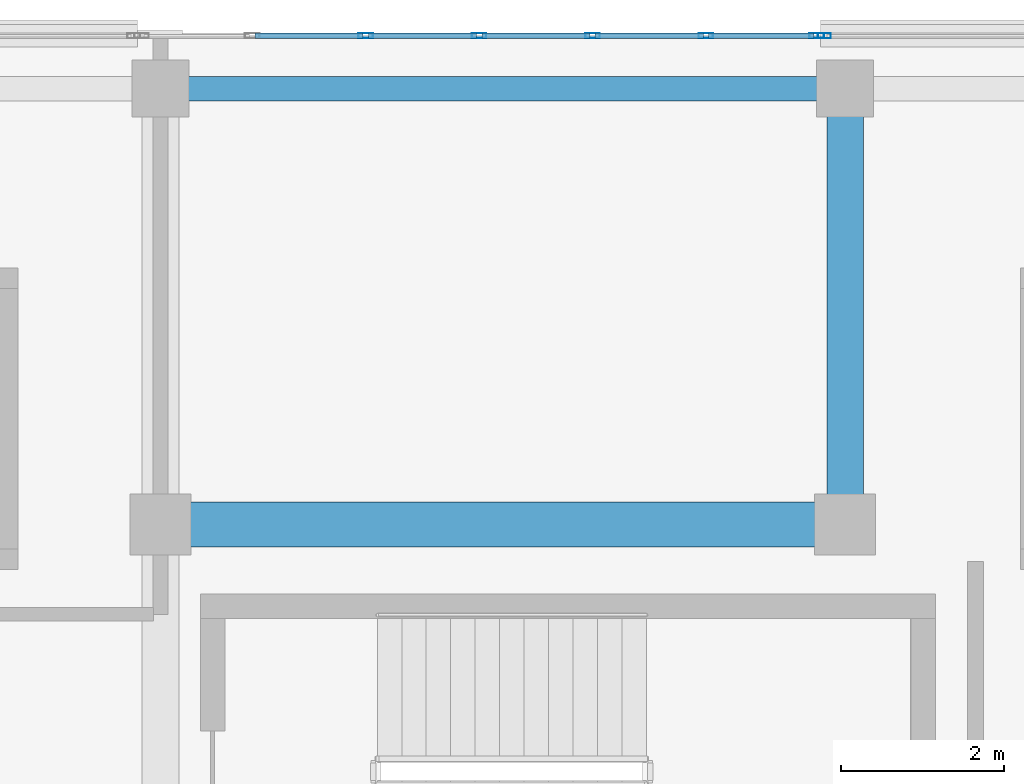
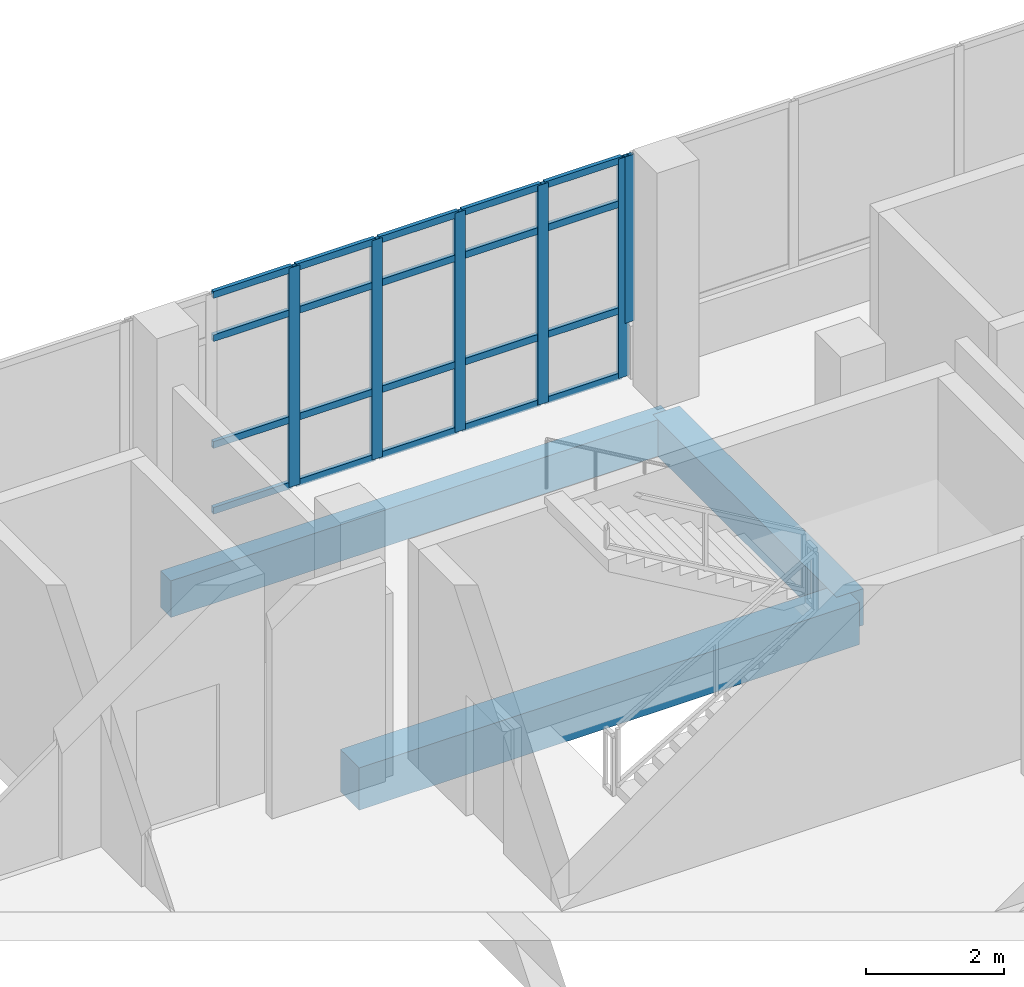
# One storey, part 120 of 184: 26 members, 3 beams, 2 elements without a shape of their own.
"""IFC4 building model written with IfcOpenShell, lengths in metres."""

from ifc_helpers import new_model, si_unit, direction, frame, origin, origin_2d, place, context, subcontext, project, spatial, rectangle, hollow_rectangle, extrude, material, material_profile, profile_set, type_object, element, aggregate, save


model = new_model("IFC4")

# Units and contexts
model_context = context("Model", 3, precision=1e-05, world=origin(), true_north=direction((0.0, 1.0)))
body_context = subcontext(model_context, "Body", "Model", "MODEL_VIEW")
ifc_project = project(units=[si_unit("LENGTHUNIT", "METRE"), si_unit("AREAUNIT", "SQUARE_METRE"), si_unit("VOLUMEUNIT", "CUBIC_METRE"), si_unit("PLANEANGLEUNIT", "RADIAN"), si_unit("MASSUNIT", "GRAM", prefix="KILO")], contexts=[model_context])

# Site, building, storey
site_placement = place(None, origin())
site = spatial("IfcSite", under=ifc_project, at=site_placement, CompositionType="ELEMENT")
building_placement = place(site_placement, origin())
building = spatial("IfcBuilding", under=site, at=building_placement, Name="Selatvlak General Hospital", CompositionType="ELEMENT")
storey_placement = place(building_placement, frame((0.0, 0.0, 15.0)))
storey = spatial("IfcBuildingStorey", under=building, at=storey_placement, Name="L03", CompositionType="ELEMENT", Elevation=15.0)

# Beams
ifc_material_1 = material(Name="Concrete C40/50", Category="concrete")
ifc_material_profile_1 = material_profile(ifc_material_1, rectangle(XDim=0.550048828125, YDim=0.75, at=origin_2d()), Name="RC-BM 550x750")
ifc_profile_set_1 = profile_set([ifc_material_profile_1], Name="Concrete C40/50")
beam_type_1 = type_object("IfcBeamType", Name="BM-G02", PredefinedType="BEAM", material=ifc_profile_set_1)
beam_1_placement = place(storey_placement, frame((132.0, 114.0, -0.715087890625), z_axis=(1.0, 0.0, 0.0), x_axis=(0.0, 1.0, 0.0)))
element("IfcBeam", 1, at=beam_1_placement, inside=storey, type_object=beam_type_1, Name="Beam BMR-L03-1270", PredefinedType="BEAM", context=body_context, shape_type="SweptSolid", body=[
    extrude(rectangle(XDim=0.550048828125, YDim=0.75, at=origin_2d()), origin(), (0.0, 0.0, 1.0), 8.39990234375),
])
ifc_material_profile_2 = material_profile(ifc_material_1, rectangle(XDim=0.449951171875, YDim=0.64990234375, at=origin_2d()), Name="RC-BM 450x650")
ifc_profile_set_2 = profile_set([ifc_material_profile_2], Name="Concrete C40/50")
beam_type_2 = type_object("IfcBeamType", Name="BM-G04", PredefinedType="BEAM", material=ifc_profile_set_2)
beam_2_placement = place(storey_placement, frame((140.39990234375, 114.0, -0.6650390625), z_axis=(0.0, 1.0, 0.0), x_axis=(-1.0, 0.0, 0.0)))
element("IfcBeam", 2, at=beam_2_placement, inside=storey, type_object=beam_type_2, Name="Beam BMR-L03-1383", PredefinedType="BEAM", context=body_context, shape_type="SweptSolid", body=[
    extrude(rectangle(XDim=0.449951171875, YDim=0.64990234375, at=origin_2d()), origin(), (0.0, 0.0, 1.0), 5.35009765625),
])
ifc_material_profile_3 = material_profile(ifc_material_1, rectangle(XDim=0.300048828125, YDim=0.64990234375, at=origin_2d()), Name="RC-SP 300x650")
ifc_profile_set_3 = profile_set([ifc_material_profile_3], Name="Concrete C40/50")
beam_type_3 = type_object("IfcBeamType", Name="BM-SP1", PredefinedType="SPANDREL", material=ifc_profile_set_3)
beam_3_placement = place(storey_placement, frame((132.0, 119.35009765625, -0.6650390625), z_axis=(1.0, 0.0, 0.0), x_axis=(0.0, 1.0, 0.0)))
element("IfcBeam", 3, at=beam_3_placement, inside=storey, type_object=beam_type_3, Name="Beam BMR-L03-1285", PredefinedType="SPANDREL", context=body_context, shape_type="SweptSolid", body=[
    extrude(rectangle(XDim=0.300048828125, YDim=0.64990234375, at=origin_2d()), origin(), (0.0, 0.0, 1.0), 8.39990234375),
])

# Curtain wall, member
ifc_material_2 = material(Name="Solar-control Low-E double glazing", Category="glass")
curtain_wall_type_1 = type_object("IfcCurtainWallType", Name="CW-CW-02", PredefinedType="USERDEFINED", material=ifc_material_2)
curtain_wall_1_placement = place(storey_placement, origin())
curtain_wall_1 = element("IfcCurtainWall", 4, at=curtain_wall_1_placement, inside=storey, type_object=curtain_wall_type_1, Name="Glazed facade curtain wall CW-L03-0379", ObjectType="UNITISED CURTAIN WALL", PredefinedType="USERDEFINED")
ifc_material_3 = material(Name="Dark anodised aluminium mullion", Category="aluminium")
ifc_material_profile_4 = material_profile(ifc_material_3, hollow_rectangle(XDim=0.06494140625, YDim=0.159912109375, WallThickness=0.00390625, at=origin_2d()), Name="AL-MUL 65x160x4")
ifc_profile_set_4 = profile_set([ifc_material_profile_4], Name="Dark anodised aluminium mullion")
member_type_1 = type_object("IfcMemberType", Name="CWM-01", PredefinedType="MULLION", material=ifc_profile_set_4)
member_1_placement = place(storey_placement, frame((140.146484375, 120.0, 0.93994140625), z_axis=(0.0, 0.0, 1.0), x_axis=(0.0, 1.0, 0.0)))
member_1 = element("IfcMember", 5, at=member_1_placement, type_object=member_type_1, Name="CW-02 mullion 1", PredefinedType="MULLION", context=body_context, shape_type="SweptSolid", body=[
    extrude(hollow_rectangle(XDim=0.06494140625, YDim=0.159912109375, WallThickness=0.00390625, at=origin_2d()), origin(), (0.0, 0.0, 1.0), 2.955078125),
])
aggregate(curtain_wall_1, [member_1])

# Curtain wall, members
curtain_wall_type_2 = type_object("IfcCurtainWallType", Name="CW-CW-04", PredefinedType="USERDEFINED", material=ifc_material_2)
curtain_wall_2_placement = place(storey_placement, origin())
curtain_wall_2 = element("IfcCurtainWall", 6, at=curtain_wall_2_placement, inside=storey, type_object=curtain_wall_type_2, Name="Glazed facade curtain wall CW-L03-0378", ObjectType="STICK GLAZING WALL", PredefinedType="USERDEFINED")
ifc_material_profile_5 = material_profile(ifc_material_3, hollow_rectangle(XDim=0.06494140625, YDim=0.179931640625, WallThickness=0.00439453125, at=origin_2d()), Name="AL-MUL 65x180x4.5")
ifc_profile_set_5 = profile_set([ifc_material_profile_5], Name="Dark anodised aluminium mullion")
member_type_2 = type_object("IfcMemberType", Name="CWM-02", PredefinedType="MULLION", material=ifc_profile_set_5)
member_2_placement = place(storey_placement, frame((134.517333984375, 120.0, 0.0), z_axis=(0.0, 0.0, 1.0), x_axis=(0.0, 1.0, 0.0)))
member_2 = element("IfcMember", 7, at=member_2_placement, type_object=member_type_2, Name="CW-04 mullion 3", PredefinedType="MULLION", context=body_context, shape_type="SweptSolid", body=[
    extrude(hollow_rectangle(XDim=0.06494140625, YDim=0.179931640625, WallThickness=0.00439453125, at=origin_2d()), origin(), (0.0, 0.0, 1.0), 3.89501953125),
])
member_3_placement = place(storey_placement, frame((135.908935546875, 120.0, 0.0), z_axis=(0.0, 0.0, 1.0), x_axis=(0.0, 1.0, 0.0)))
member_3 = element("IfcMember", 8, at=member_3_placement, type_object=member_type_2, Name="CW-04 mullion 4", PredefinedType="MULLION", context=body_context, shape_type="SweptSolid", body=[
    extrude(hollow_rectangle(XDim=0.06494140625, YDim=0.179931640625, WallThickness=0.00439453125, at=origin_2d()), origin(), (0.0, 0.0, 1.0), 3.89501953125),
])
member_4_placement = place(storey_placement, frame((137.30078125, 120.0, 0.0), z_axis=(0.0, 0.0, 1.0), x_axis=(0.0, 1.0, 0.0)))
member_4 = element("IfcMember", 9, at=member_4_placement, type_object=member_type_2, Name="CW-04 mullion 5", PredefinedType="MULLION", context=body_context, shape_type="SweptSolid", body=[
    extrude(hollow_rectangle(XDim=0.06494140625, YDim=0.179931640625, WallThickness=0.00439453125, at=origin_2d()), origin(), (0.0, 0.0, 1.0), 3.89501953125),
])
member_5_placement = place(storey_placement, frame((138.6923828125, 120.0, 0.0), z_axis=(0.0, 0.0, 1.0), x_axis=(0.0, 1.0, 0.0)))
member_5 = element("IfcMember", 10, at=member_5_placement, type_object=member_type_2, Name="CW-04 mullion 6", PredefinedType="MULLION", context=body_context, shape_type="SweptSolid", body=[
    extrude(hollow_rectangle(XDim=0.06494140625, YDim=0.179931640625, WallThickness=0.00439453125, at=origin_2d()), origin(), (0.0, 0.0, 1.0), 3.89501953125),
])
member_6_placement = place(storey_placement, frame((140.051513671875, 120.0, 0.0), z_axis=(0.0, 0.0, 1.0), x_axis=(0.0, 1.0, 0.0)))
member_6 = element("IfcMember", 11, at=member_6_placement, type_object=member_type_2, Name="CW-04 mullion 7", PredefinedType="MULLION", context=body_context, shape_type="SweptSolid", body=[
    extrude(hollow_rectangle(XDim=0.06494140625, YDim=0.179931640625, WallThickness=0.00439453125, at=origin_2d()), origin(), (0.0, 0.0, 1.0), 3.89501953125),
])
ifc_material_profile_6 = material_profile(ifc_material_3, hollow_rectangle(XDim=0.06494140625, YDim=0.1201171875, WallThickness=0.00390625, at=origin_2d()), Name="AL-TRN 65x120x4")
ifc_profile_set_6 = profile_set([ifc_material_profile_6], Name="Dark anodised aluminium mullion")
member_type_3 = type_object("IfcMemberType", Name="CWT-01", PredefinedType="USERDEFINED", material=ifc_profile_set_6)
member_7_placement = place(storey_placement, frame((133.158203125, 120.0, 0.032470703125), z_axis=(1.0, 0.0, 0.0), x_axis=(0.0, 1.0, 0.0)))
member_7 = element("IfcMember", 12, at=member_7_placement, type_object=member_type_3, Name="CW-04 transom 2.1", ObjectType="TRANSOM", PredefinedType="USERDEFINED", context=body_context, shape_type="SweptSolid", body=[
    extrude(hollow_rectangle(XDim=0.06494140625, YDim=0.1201171875, WallThickness=0.00390625, at=origin_2d()), origin(), (0.0, 0.0, 1.0), 1.32666015625),
])
member_8_placement = place(storey_placement, frame((133.158203125, 120.0, 1.199951171875), z_axis=(1.0, 0.0, 0.0), x_axis=(0.0, 1.0, 0.0)))
member_8 = element("IfcMember", 13, at=member_8_placement, type_object=member_type_3, Name="CW-04 transom 2.2", ObjectType="TRANSOM", PredefinedType="USERDEFINED", context=body_context, shape_type="SweptSolid", body=[
    extrude(hollow_rectangle(XDim=0.06494140625, YDim=0.1201171875, WallThickness=0.00390625, at=origin_2d()), origin(), (0.0, 0.0, 1.0), 1.32666015625),
])
member_9_placement = place(storey_placement, frame((133.158203125, 120.0, 3.094970703125), z_axis=(1.0, 0.0, 0.0), x_axis=(0.0, 1.0, 0.0)))
member_9 = element("IfcMember", 14, at=member_9_placement, type_object=member_type_3, Name="CW-04 transom 2.3", ObjectType="TRANSOM", PredefinedType="USERDEFINED", context=body_context, shape_type="SweptSolid", body=[
    extrude(hollow_rectangle(XDim=0.06494140625, YDim=0.1201171875, WallThickness=0.00390625, at=origin_2d()), origin(), (0.0, 0.0, 1.0), 1.32666015625),
])
member_10_placement = place(storey_placement, frame((133.158203125, 120.0, 3.862548828125), z_axis=(1.0, 0.0, 0.0), x_axis=(0.0, 1.0, 0.0)))
member_10 = element("IfcMember", 15, at=member_10_placement, type_object=member_type_3, Name="CW-04 transom 2.4", ObjectType="TRANSOM", PredefinedType="USERDEFINED", context=body_context, shape_type="SweptSolid", body=[
    extrude(hollow_rectangle(XDim=0.06494140625, YDim=0.1201171875, WallThickness=0.00390625, at=origin_2d()), origin(), (0.0, 0.0, 1.0), 1.32666015625),
])
member_11_placement = place(storey_placement, frame((134.5498046875, 120.0, 0.032470703125), z_axis=(1.0, 0.0, 0.0), x_axis=(0.0, 1.0, 0.0)))
member_11 = element("IfcMember", 16, at=member_11_placement, type_object=member_type_3, Name="CW-04 transom 3.1", ObjectType="TRANSOM", PredefinedType="USERDEFINED", context=body_context, shape_type="SweptSolid", body=[
    extrude(hollow_rectangle(XDim=0.06494140625, YDim=0.1201171875, WallThickness=0.00390625, at=origin_2d()), origin(), (0.0, 0.0, 1.0), 1.32666015625),
])
member_12_placement = place(storey_placement, frame((134.5498046875, 120.0, 1.199951171875), z_axis=(1.0, 0.0, 0.0), x_axis=(0.0, 1.0, 0.0)))
member_12 = element("IfcMember", 17, at=member_12_placement, type_object=member_type_3, Name="CW-04 transom 3.2", ObjectType="TRANSOM", PredefinedType="USERDEFINED", context=body_context, shape_type="SweptSolid", body=[
    extrude(hollow_rectangle(XDim=0.06494140625, YDim=0.1201171875, WallThickness=0.00390625, at=origin_2d()), origin(), (0.0, 0.0, 1.0), 1.32666015625),
])
member_13_placement = place(storey_placement, frame((134.5498046875, 120.0, 3.094970703125), z_axis=(1.0, 0.0, 0.0), x_axis=(0.0, 1.0, 0.0)))
member_13 = element("IfcMember", 18, at=member_13_placement, type_object=member_type_3, Name="CW-04 transom 3.3", ObjectType="TRANSOM", PredefinedType="USERDEFINED", context=body_context, shape_type="SweptSolid", body=[
    extrude(hollow_rectangle(XDim=0.06494140625, YDim=0.1201171875, WallThickness=0.00390625, at=origin_2d()), origin(), (0.0, 0.0, 1.0), 1.32666015625),
])
member_14_placement = place(storey_placement, frame((134.5498046875, 120.0, 3.862548828125), z_axis=(1.0, 0.0, 0.0), x_axis=(0.0, 1.0, 0.0)))
member_14 = element("IfcMember", 19, at=member_14_placement, type_object=member_type_3, Name="CW-04 transom 3.4", ObjectType="TRANSOM", PredefinedType="USERDEFINED", context=body_context, shape_type="SweptSolid", body=[
    extrude(hollow_rectangle(XDim=0.06494140625, YDim=0.1201171875, WallThickness=0.00390625, at=origin_2d()), origin(), (0.0, 0.0, 1.0), 1.32666015625),
])
member_15_placement = place(storey_placement, frame((135.94140625, 120.0, 0.032470703125), z_axis=(1.0, 0.0, 0.0), x_axis=(0.0, 1.0, 0.0)))
member_15 = element("IfcMember", 20, at=member_15_placement, type_object=member_type_3, Name="CW-04 transom 4.1", ObjectType="TRANSOM", PredefinedType="USERDEFINED", context=body_context, shape_type="SweptSolid", body=[
    extrude(hollow_rectangle(XDim=0.06494140625, YDim=0.1201171875, WallThickness=0.00390625, at=origin_2d()), origin(), (0.0, 0.0, 1.0), 1.32666015625),
])
member_16_placement = place(storey_placement, frame((135.94140625, 120.0, 1.199951171875), z_axis=(1.0, 0.0, 0.0), x_axis=(0.0, 1.0, 0.0)))
member_16 = element("IfcMember", 21, at=member_16_placement, type_object=member_type_3, Name="CW-04 transom 4.2", ObjectType="TRANSOM", PredefinedType="USERDEFINED", context=body_context, shape_type="SweptSolid", body=[
    extrude(hollow_rectangle(XDim=0.06494140625, YDim=0.1201171875, WallThickness=0.00390625, at=origin_2d()), origin(), (0.0, 0.0, 1.0), 1.32666015625),
])
member_17_placement = place(storey_placement, frame((135.94140625, 120.0, 3.094970703125), z_axis=(1.0, 0.0, 0.0), x_axis=(0.0, 1.0, 0.0)))
member_17 = element("IfcMember", 22, at=member_17_placement, type_object=member_type_3, Name="CW-04 transom 4.3", ObjectType="TRANSOM", PredefinedType="USERDEFINED", context=body_context, shape_type="SweptSolid", body=[
    extrude(hollow_rectangle(XDim=0.06494140625, YDim=0.1201171875, WallThickness=0.00390625, at=origin_2d()), origin(), (0.0, 0.0, 1.0), 1.32666015625),
])
member_18_placement = place(storey_placement, frame((135.94140625, 120.0, 3.862548828125), z_axis=(1.0, 0.0, 0.0), x_axis=(0.0, 1.0, 0.0)))
member_18 = element("IfcMember", 23, at=member_18_placement, type_object=member_type_3, Name="CW-04 transom 4.4", ObjectType="TRANSOM", PredefinedType="USERDEFINED", context=body_context, shape_type="SweptSolid", body=[
    extrude(hollow_rectangle(XDim=0.06494140625, YDim=0.1201171875, WallThickness=0.00390625, at=origin_2d()), origin(), (0.0, 0.0, 1.0), 1.32666015625),
])
member_19_placement = place(storey_placement, frame((137.333251953125, 120.0, 0.032470703125), z_axis=(1.0, 0.0, 0.0), x_axis=(0.0, 1.0, 0.0)))
member_19 = element("IfcMember", 24, at=member_19_placement, type_object=member_type_3, Name="CW-04 transom 5.1", ObjectType="TRANSOM", PredefinedType="USERDEFINED", context=body_context, shape_type="SweptSolid", body=[
    extrude(hollow_rectangle(XDim=0.06494140625, YDim=0.1201171875, WallThickness=0.00390625, at=origin_2d()), origin(), (0.0, 0.0, 1.0), 1.32666015625),
])
member_20_placement = place(storey_placement, frame((137.333251953125, 120.0, 1.199951171875), z_axis=(1.0, 0.0, 0.0), x_axis=(0.0, 1.0, 0.0)))
member_20 = element("IfcMember", 25, at=member_20_placement, type_object=member_type_3, Name="CW-04 transom 5.2", ObjectType="TRANSOM", PredefinedType="USERDEFINED", context=body_context, shape_type="SweptSolid", body=[
    extrude(hollow_rectangle(XDim=0.06494140625, YDim=0.1201171875, WallThickness=0.00390625, at=origin_2d()), origin(), (0.0, 0.0, 1.0), 1.32666015625),
])
member_21_placement = place(storey_placement, frame((137.333251953125, 120.0, 3.094970703125), z_axis=(1.0, 0.0, 0.0), x_axis=(0.0, 1.0, 0.0)))
member_21 = element("IfcMember", 26, at=member_21_placement, type_object=member_type_3, Name="CW-04 transom 5.3", ObjectType="TRANSOM", PredefinedType="USERDEFINED", context=body_context, shape_type="SweptSolid", body=[
    extrude(hollow_rectangle(XDim=0.06494140625, YDim=0.1201171875, WallThickness=0.00390625, at=origin_2d()), origin(), (0.0, 0.0, 1.0), 1.32666015625),
])
member_22_placement = place(storey_placement, frame((137.333251953125, 120.0, 3.862548828125), z_axis=(1.0, 0.0, 0.0), x_axis=(0.0, 1.0, 0.0)))
member_22 = element("IfcMember", 27, at=member_22_placement, type_object=member_type_3, Name="CW-04 transom 5.4", ObjectType="TRANSOM", PredefinedType="USERDEFINED", context=body_context, shape_type="SweptSolid", body=[
    extrude(hollow_rectangle(XDim=0.06494140625, YDim=0.1201171875, WallThickness=0.00390625, at=origin_2d()), origin(), (0.0, 0.0, 1.0), 1.32666015625),
])
member_23_placement = place(storey_placement, frame((138.724853515625, 120.0, 0.032470703125), z_axis=(1.0, 0.0, 0.0), x_axis=(0.0, 1.0, 0.0)))
member_23 = element("IfcMember", 28, at=member_23_placement, type_object=member_type_3, Name="CW-04 transom 6.1", ObjectType="TRANSOM", PredefinedType="USERDEFINED", context=body_context, shape_type="SweptSolid", body=[
    extrude(hollow_rectangle(XDim=0.06494140625, YDim=0.1201171875, WallThickness=0.00390625, at=origin_2d()), origin(), (0.0, 0.0, 1.0), 1.294189453125),
])
member_24_placement = place(storey_placement, frame((138.724853515625, 120.0, 1.199951171875), z_axis=(1.0, 0.0, 0.0), x_axis=(0.0, 1.0, 0.0)))
member_24 = element("IfcMember", 29, at=member_24_placement, type_object=member_type_3, Name="CW-04 transom 6.2", ObjectType="TRANSOM", PredefinedType="USERDEFINED", context=body_context, shape_type="SweptSolid", body=[
    extrude(hollow_rectangle(XDim=0.06494140625, YDim=0.1201171875, WallThickness=0.00390625, at=origin_2d()), origin(), (0.0, 0.0, 1.0), 1.294189453125),
])
member_25_placement = place(storey_placement, frame((138.724853515625, 120.0, 3.094970703125), z_axis=(1.0, 0.0, 0.0), x_axis=(0.0, 1.0, 0.0)))
member_25 = element("IfcMember", 30, at=member_25_placement, type_object=member_type_3, Name="CW-04 transom 6.3", ObjectType="TRANSOM", PredefinedType="USERDEFINED", context=body_context, shape_type="SweptSolid", body=[
    extrude(hollow_rectangle(XDim=0.06494140625, YDim=0.1201171875, WallThickness=0.00390625, at=origin_2d()), origin(), (0.0, 0.0, 1.0), 1.294189453125),
])
member_26_placement = place(storey_placement, frame((138.724853515625, 120.0, 3.862548828125), z_axis=(1.0, 0.0, 0.0), x_axis=(0.0, 1.0, 0.0)))
member_26 = element("IfcMember", 31, at=member_26_placement, type_object=member_type_3, Name="CW-04 transom 6.4", ObjectType="TRANSOM", PredefinedType="USERDEFINED", context=body_context, shape_type="SweptSolid", body=[
    extrude(hollow_rectangle(XDim=0.06494140625, YDim=0.1201171875, WallThickness=0.00390625, at=origin_2d()), origin(), (0.0, 0.0, 1.0), 1.294189453125),
])
aggregate(curtain_wall_2, [member_2, member_3, member_4, member_5, member_6, member_7, member_8, member_9, member_10, member_11, member_12, member_13, member_14, member_15, member_16, member_17, member_18, member_19, member_20, member_21, member_22, member_23, member_24, member_25, member_26])

save(model, "model.ifc")
